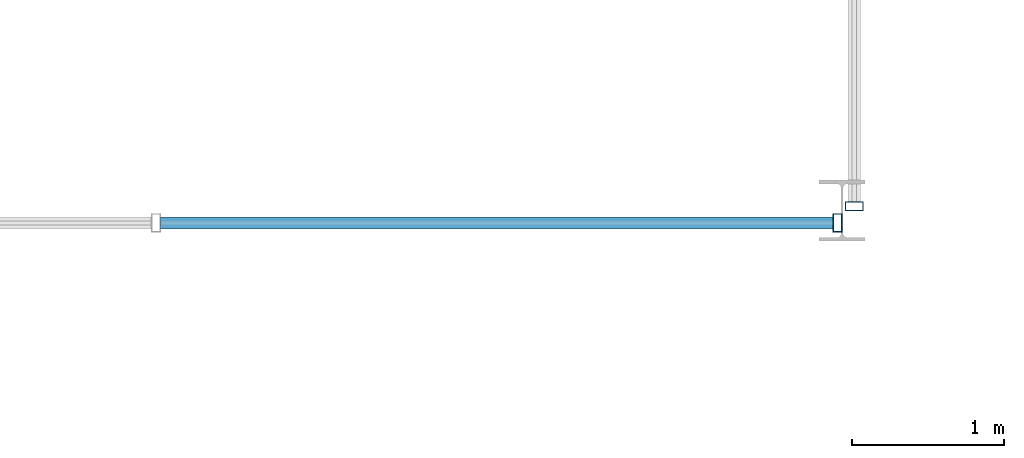
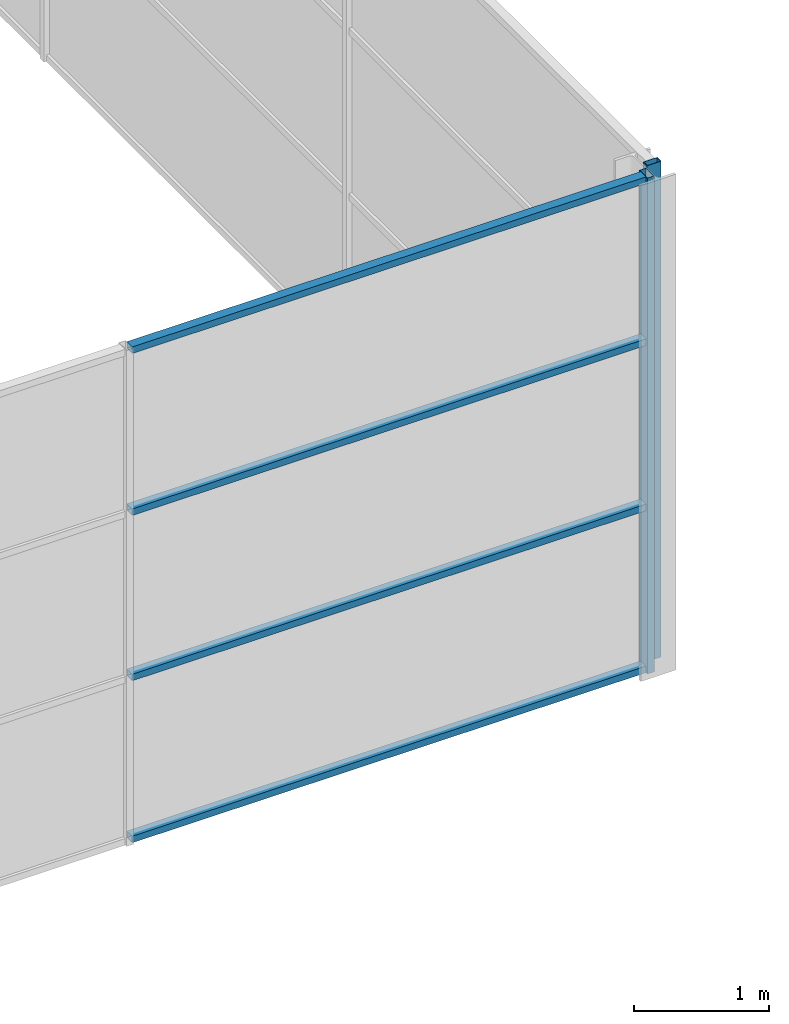
# One storey, part 14 of 70: 6 members, 2 elements without a shape of their own.
"""IFC4 building model written with IfcOpenShell, lengths in metres."""

from ifc_helpers import new_model, si_unit, direction, frame, origin, origin_2d, place, context, subcontext, project, spatial, hollow_rectangle, extrude, material, material_profile, profile_set, type_object, element, aggregate, save


model = new_model("IFC4")

# Units and contexts
model_context = context("Model", 3, precision=1e-05, world=origin(), true_north=direction((0.0, 1.0)))
body_context = subcontext(model_context, "Body", "Model", "MODEL_VIEW")
ifc_project = project(units=[si_unit("LENGTHUNIT", "METRE"), si_unit("AREAUNIT", "SQUARE_METRE"), si_unit("VOLUMEUNIT", "CUBIC_METRE"), si_unit("PLANEANGLEUNIT", "RADIAN"), si_unit("MASSUNIT", "GRAM", prefix="KILO")], contexts=[model_context])

# Site, building, storey
site_placement = place(None, origin())
site = spatial("IfcSite", under=ifc_project, at=site_placement, CompositionType="ELEMENT")
building_placement = place(site_placement, origin())
building = spatial("IfcBuilding", under=site, at=building_placement, Name="Kallimachos Central Library", CompositionType="ELEMENT")
storey_placement = place(building_placement, frame((0.0, 0.0, 18.89990234375)))
storey = spatial("IfcBuildingStorey", under=building, at=storey_placement, Name="L04", CompositionType="ELEMENT", Elevation=18.89990234375)

# Curtain wall, member
ifc_material_1 = material(Name="Aluminium and laminated glass", Category="aluminium")
curtain_wall_type = type_object("IfcCurtainWallType", Name="Atrium glazed screen", PredefinedType="NOTDEFINED", material=ifc_material_1)
curtain_wall_1_placement = place(storey_placement, origin())
curtain_wall_1 = element("IfcCurtainWall", 1, at=curtain_wall_1_placement, inside=storey, type_object=curtain_wall_type, Name="L04 atrium screen S", PredefinedType="NOTDEFINED")
ifc_material_2 = material(Name="Anodised aluminium", Category="aluminium")
ifc_material_profile_1 = material_profile(ifc_material_2, hollow_rectangle(XDim=0.06005859375, YDim=0.1201171875, WallThickness=0.00390625, at=origin_2d()), Name="ALU MULLION 60x120")
ifc_profile_set_1 = profile_set([ifc_material_profile_1], Name="Anodised aluminium")
member_type_1 = type_object("IfcMemberType", Name="Atrium screen mullion", PredefinedType="MULLION", material=ifc_profile_set_1)
member_1_placement = place(storey_placement, frame((101.469970703125, 56.919921875, 0.0), z_axis=(0.0, 0.0, 1.0), x_axis=(1.0, 0.0, 0.0)))
member_1 = element("IfcMember", 2, at=member_1_placement, type_object=member_type_1, Name="CW mullion 7", PredefinedType="MULLION", context=body_context, shape_type="SweptSolid", body=[
    extrude(hollow_rectangle(XDim=0.06005859375, YDim=0.1201171875, WallThickness=0.00390625, at=origin_2d()), origin(), (0.0, 0.0, 1.0), 4.5),
])

curtain_wall_2_placement = place(storey_placement, origin())
curtain_wall_2 = element("IfcCurtainWall", 3, at=curtain_wall_2_placement, inside=storey, type_object=curtain_wall_type, Name="L04 atrium screen E", PredefinedType="NOTDEFINED")
member_2_placement = place(storey_placement, frame((101.580078125, 57.030029296875, 0.0), z_axis=(0.0, 0.0, 1.0), x_axis=(0.0, 1.0, 0.0)))
member_2 = element("IfcMember", 4, at=member_2_placement, type_object=member_type_1, Name="CW mullion 1", PredefinedType="MULLION", context=body_context, shape_type="SweptSolid", body=[
    extrude(hollow_rectangle(XDim=0.06005859375, YDim=0.1201171875, WallThickness=0.00390625, at=origin_2d()), origin(), (0.0, 0.0, 1.0), 4.5),
])
aggregate(curtain_wall_2, [member_2])

# Member
ifc_material_3 = material(Name="Anodised aluminium", Category="aluminium")
ifc_material_profile_2 = material_profile(ifc_material_3, hollow_rectangle(XDim=0.06005859375, YDim=0.080078125, WallThickness=0.00390625, at=origin_2d()), Name="ALU TRANSOM 60x80")
ifc_profile_set_2 = profile_set([ifc_material_profile_2], Name="Anodised aluminium")
member_type_2 = type_object("IfcMemberType", Name="Atrium screen transom", PredefinedType="USERDEFINED", material=ifc_profile_set_2)
member_3_placement = place(storey_placement, frame((97.030029296875, 56.919921875, 0.030029296875), z_axis=(1.0, 0.0, 0.0), x_axis=(0.0, 0.0, 1.0)))
member_3 = element("IfcMember", 5, at=member_3_placement, type_object=member_type_2, Name="CW transom 6.1", ObjectType="TRANSOM", PredefinedType="USERDEFINED", context=body_context, shape_type="SweptSolid", body=[
    extrude(hollow_rectangle(XDim=0.06005859375, YDim=0.080078125, WallThickness=0.00390625, at=origin_2d()), origin(), (0.0, 0.0, 1.0), 4.409912109375),
])

member_4_placement = place(storey_placement, frame((97.030029296875, 56.919921875, 1.5), z_axis=(1.0, 0.0, 0.0), x_axis=(0.0, 0.0, 1.0)))
member_4 = element("IfcMember", 6, at=member_4_placement, type_object=member_type_2, Name="CW transom 6.2", ObjectType="TRANSOM", PredefinedType="USERDEFINED", context=body_context, shape_type="SweptSolid", body=[
    extrude(hollow_rectangle(XDim=0.06005859375, YDim=0.080078125, WallThickness=0.00390625, at=origin_2d()), origin(), (0.0, 0.0, 1.0), 4.409912109375),
])

member_5_placement = place(storey_placement, frame((97.030029296875, 56.919921875, 3.0), z_axis=(1.0, 0.0, 0.0), x_axis=(0.0, 0.0, 1.0)))
member_5 = element("IfcMember", 7, at=member_5_placement, type_object=member_type_2, Name="CW transom 6.3", ObjectType="TRANSOM", PredefinedType="USERDEFINED", context=body_context, shape_type="SweptSolid", body=[
    extrude(hollow_rectangle(XDim=0.06005859375, YDim=0.080078125, WallThickness=0.00390625, at=origin_2d()), origin(), (0.0, 0.0, 1.0), 4.409912109375),
])

member_6_placement = place(storey_placement, frame((97.030029296875, 56.919921875, 4.47021484375), z_axis=(1.0, 0.0, 0.0), x_axis=(0.0, 0.0, 1.0)))
member_6 = element("IfcMember", 8, at=member_6_placement, type_object=member_type_2, Name="CW transom 6.4", ObjectType="TRANSOM", PredefinedType="USERDEFINED", context=body_context, shape_type="SweptSolid", body=[
    extrude(hollow_rectangle(XDim=0.06005859375, YDim=0.080078125, WallThickness=0.00390625, at=origin_2d()), origin(), (0.0, 0.0, 1.0), 4.409912109375),
])

aggregate(curtain_wall_1, [member_1, member_3, member_4, member_5, member_6])

save(model, "model.ifc")
